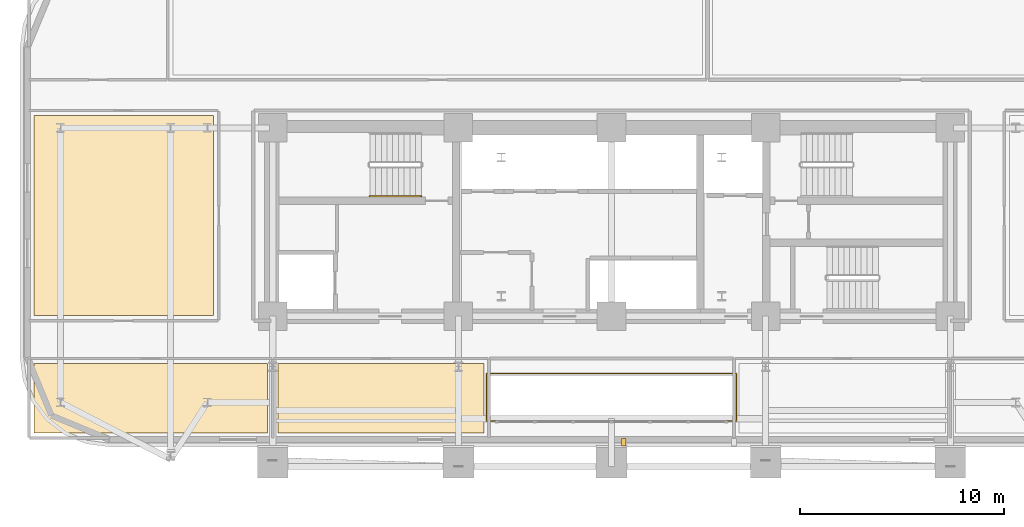
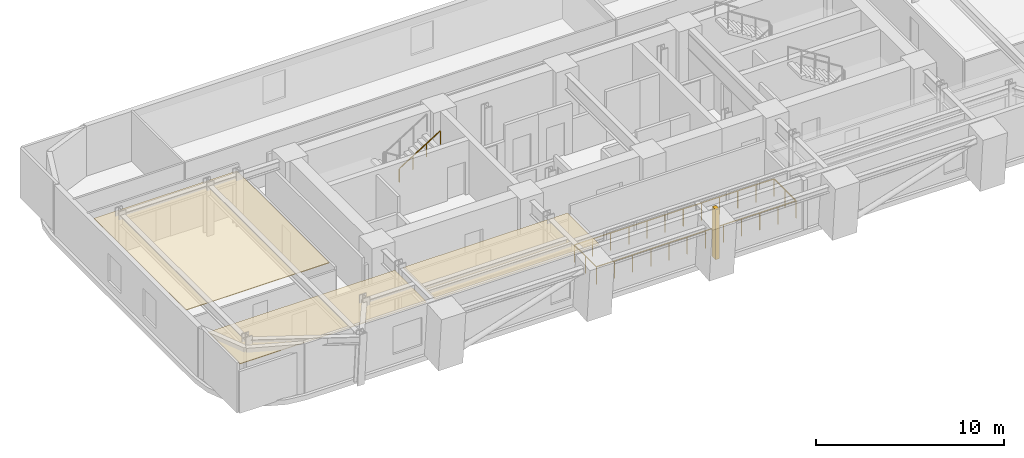
# One storey, part 11 of 14: 4 coverings, 2 railings.
"""IFC4 building model written with IfcOpenShell, lengths in metres."""

from ifc_helpers import new_model, si_unit, direction, frame, origin, origin_2d, place, context, subcontext, project, spatial, polyline, rectangle, outline, extrude, material, layer, layer_set, type_object, element, save


model = new_model("IFC4")

# Units and contexts
model_context = context("Model", 3, precision=1e-05, world=origin(), true_north=direction((0.0, 1.0)))
body_context = subcontext(model_context, "Body", "Model", "MODEL_VIEW")
ifc_project = project(units=[si_unit("LENGTHUNIT", "METRE"), si_unit("AREAUNIT", "SQUARE_METRE"), si_unit("VOLUMEUNIT", "CUBIC_METRE"), si_unit("PLANEANGLEUNIT", "RADIAN"), si_unit("MASSUNIT", "GRAM", prefix="KILO")], contexts=[model_context])

# Site, building, storey
site_placement = place(None, origin())
site = spatial("IfcSite", under=ifc_project, at=site_placement, CompositionType="ELEMENT")
building_placement = place(site_placement, origin())
building = spatial("IfcBuilding", under=site, at=building_placement, Name="Zarnavel Station Tower", CompositionType="ELEMENT")
storey_placement = place(building_placement, frame((0.0, 0.0, 60.5)))
storey = spatial("IfcBuildingStorey", under=building, at=storey_placement, Name="L16", CompositionType="ELEMENT", Elevation=60.5)

# Coverings
ifc_material_1 = material(Name="Perforated Gypsum and Mineral-Wool Acoustic Ceiling", Category="concrete")
ifc_layer = layer(ifc_material_1, 0.0400390625)
ifc_layer_set = layer_set([ifc_layer], Name="COV_CEIL_ACOUSTIC")
covering_type_1 = type_object("IfcCoveringType", Name="COV_CEIL_ACOUSTIC", PredefinedType="CEILING", material=ifc_layer_set)
covering_1_placement = place(storey_placement, frame((0.0, 0.0, 2.919921875)))
element("IfcCovering", 1, at=covering_1_placement, inside=storey, type_object=covering_type_1, Name="L16 FNW4 Acoustic Ceiling", PredefinedType="CEILING", context=body_context, shape_type="SweptSolid", body=[
    extrude(outline(polyline([(0.510009765625, 27.85009765625), (9.300048828125, 27.85009765625), (9.300048828125, 37.64990234375), (0.510009765625, 37.64990234375), (0.510009765625, 27.85009765625)])), origin(), (0.0, 0.0, 1.0), 0.0400390625),
])
covering_2_placement = place(storey_placement, frame((0.0, 0.0, 2.919921875)))
element("IfcCovering", 2, at=covering_2_placement, inside=storey, type_object=covering_type_1, Name="L16 Z1GAL Acoustic Ceiling", PredefinedType="CEILING", context=body_context, shape_type="SweptSolid", body=[
    extrude(outline(polyline([(0.510009765625, 22.110107421875), (11.949951171875, 22.110107421875), (11.949951171875, 25.5), (0.510009765625, 25.5), (0.510009765625, 22.110107421875)])), origin(), (0.0, 0.0, 1.0), 0.0400390625),
])
covering_3_placement = place(storey_placement, frame((0.0, 0.0, 2.919921875)))
element("IfcCovering", 3, at=covering_3_placement, inside=storey, type_object=covering_type_1, Name="L16 Z1LIB Acoustic Ceiling", PredefinedType="CEILING", context=body_context, shape_type="SweptSolid", body=[
    extrude(outline(polyline([(12.449951171875, 22.110107421875), (22.550048828125, 22.110107421875), (22.550048828125, 25.5), (12.449951171875, 25.5), (12.449951171875, 22.110107421875)])), origin(), (0.0, 0.0, 1.0), 0.0400390625),
])
ifc_material_2 = material(Name="Precast concrete C45/55 (Pale Travertine Slab Band)", Category="masonry")
covering_type_2 = type_object("IfcCoveringType", Name="COV_TRAVERTINE_BAND", PredefinedType="CLADDING", material=ifc_material_2)
covering_4_placement = place(storey_placement, frame((29.39990234375, 21.64990234375, 0.0), z_axis=(0.0, 0.0, 1.0), x_axis=(1.0, 0.0, 0.0)))
element("IfcCovering", 4, at=covering_4_placement, inside=storey, type_object=covering_type_2, Name="L16 Travertine Portal Loggia Vertical Jog West", PredefinedType="CLADDING", context=body_context, shape_type="SweptSolid", body=[
    extrude(rectangle(XDim=0.239990234375, YDim=0.360107421875, at=origin_2d()), origin(), (0.0, 0.0, 1.0), 3.239990234375),
])

# Railings
ifc_material_3 = material(Name="Painted Steel S355J2 Balustrade", Category="steel")
railing_type_1 = type_object("IfcRailingType", Name="GR_INT_1150", PredefinedType="GUARDRAIL", material=ifc_material_3)
railing_1_placement = place(storey_placement, frame((22.679931640625, 22.679931640625, 0.0)))
element("IfcRailing", 5, at=railing_1_placement, inside=storey, type_object=railing_type_1, Name="L16 Atrium Void Guardrail", PredefinedType="GUARDRAIL", context=body_context, shape_type="SweptSolid", body=[
    extrude(rectangle(XDim=0.048095703125, YDim=0.048095703125, at=origin_2d()), frame((0.001953125, 0.0, 1.1259765625), z_axis=(1.0, 0.0, 0.0), x_axis=(0.0, 1.0, 0.0)), (0.0, 0.0, 1.0), 12.236083984375),
    extrude(rectangle(XDim=0.048095703125, YDim=0.048095703125, at=origin_2d()), frame((12.239990234375, 0.001953125, 1.1259765625), z_axis=(0.0, 1.0, 0.0), x_axis=(-1.0, 0.0, 0.0)), (0.0, 0.0, 1.0), 2.336181640625),
    extrude(rectangle(XDim=0.048095703125, YDim=0.048095703125, at=origin_2d()), frame((12.238037109375, 2.340087890625, 1.1259765625), z_axis=(-1.0, 0.0, 0.0), x_axis=(0.0, -1.0, 0.0)), (0.0, 0.0, 1.0), 12.236083984375),
    extrude(rectangle(XDim=0.048095703125, YDim=0.048095703125, at=origin_2d()), frame((0.0, 2.338134765625, 1.1259765625), z_axis=(0.0, -1.0, 0.0), x_axis=(1.0, 0.0, 0.0)), (0.0, 0.0, 1.0), 2.336181640625),
    extrude(rectangle(XDim=0.0419921875, YDim=0.0419921875, at=origin_2d()), origin(), (0.0, 0.0, 1.0), 1.101806640625),
    extrude(rectangle(XDim=0.0419921875, YDim=0.0419921875, at=origin_2d()), frame((1.11279296875, 0.0, 0.0)), (0.0, 0.0, 1.0), 1.101806640625),
    extrude(rectangle(XDim=0.0419921875, YDim=0.0419921875, at=origin_2d()), frame((2.225341796875, 0.0, 0.0)), (0.0, 0.0, 1.0), 1.101806640625),
    extrude(rectangle(XDim=0.0419921875, YDim=0.0419921875, at=origin_2d()), frame((3.338134765625, 0.0, 0.0)), (0.0, 0.0, 1.0), 1.101806640625),
    extrude(rectangle(XDim=0.0419921875, YDim=0.0419921875, at=origin_2d()), frame((4.450927734375, 0.0, 0.0)), (0.0, 0.0, 1.0), 1.101806640625),
    extrude(rectangle(XDim=0.0419921875, YDim=0.0419921875, at=origin_2d()), frame((5.563720703125, 0.0, 0.0)), (0.0, 0.0, 1.0), 1.101806640625),
    extrude(rectangle(XDim=0.0419921875, YDim=0.0419921875, at=origin_2d()), frame((6.67626953125, 0.0, 0.0)), (0.0, 0.0, 1.0), 1.101806640625),
    extrude(rectangle(XDim=0.0419921875, YDim=0.0419921875, at=origin_2d()), frame((7.7890625, 0.0, 0.0)), (0.0, 0.0, 1.0), 1.101806640625),
    extrude(rectangle(XDim=0.0419921875, YDim=0.0419921875, at=origin_2d()), frame((8.90185546875, 0.0, 0.0)), (0.0, 0.0, 1.0), 1.101806640625),
    extrude(rectangle(XDim=0.0419921875, YDim=0.0419921875, at=origin_2d()), frame((10.0146484375, 0.0, 0.0)), (0.0, 0.0, 1.0), 1.101806640625),
    extrude(rectangle(XDim=0.0419921875, YDim=0.0419921875, at=origin_2d()), frame((11.127197265625, 0.0, 0.0)), (0.0, 0.0, 1.0), 1.101806640625),
    extrude(rectangle(XDim=0.0419921875, YDim=0.0419921875, at=origin_2d()), frame((12.239990234375, 0.0, 0.0)), (0.0, 0.0, 1.0), 1.101806640625),
    extrude(rectangle(XDim=0.0419921875, YDim=0.0419921875, at=origin_2d()), frame((12.239990234375, 1.169921875, 0.0)), (0.0, 0.0, 1.0), 1.101806640625),
    extrude(rectangle(XDim=0.0419921875, YDim=0.0419921875, at=origin_2d()), frame((12.239990234375, 2.340087890625, 0.0)), (0.0, 0.0, 1.0), 1.101806640625),
    extrude(rectangle(XDim=0.0419921875, YDim=0.0419921875, at=origin_2d()), frame((11.127197265625, 2.340087890625, 0.0)), (0.0, 0.0, 1.0), 1.101806640625),
    extrude(rectangle(XDim=0.0419921875, YDim=0.0419921875, at=origin_2d()), frame((10.0146484375, 2.340087890625, 0.0)), (0.0, 0.0, 1.0), 1.101806640625),
    extrude(rectangle(XDim=0.0419921875, YDim=0.0419921875, at=origin_2d()), frame((8.90185546875, 2.340087890625, 0.0)), (0.0, 0.0, 1.0), 1.101806640625),
    extrude(rectangle(XDim=0.0419921875, YDim=0.0419921875, at=origin_2d()), frame((7.7890625, 2.340087890625, 0.0)), (0.0, 0.0, 1.0), 1.101806640625),
    extrude(rectangle(XDim=0.0419921875, YDim=0.0419921875, at=origin_2d()), frame((6.67626953125, 2.340087890625, 0.0)), (0.0, 0.0, 1.0), 1.101806640625),
    extrude(rectangle(XDim=0.0419921875, YDim=0.0419921875, at=origin_2d()), frame((5.563720703125, 2.340087890625, 0.0)), (0.0, 0.0, 1.0), 1.101806640625),
    extrude(rectangle(XDim=0.0419921875, YDim=0.0419921875, at=origin_2d()), frame((4.450927734375, 2.340087890625, 0.0)), (0.0, 0.0, 1.0), 1.101806640625),
    extrude(rectangle(XDim=0.0419921875, YDim=0.0419921875, at=origin_2d()), frame((3.338134765625, 2.340087890625, 0.0)), (0.0, 0.0, 1.0), 1.101806640625),
    extrude(rectangle(XDim=0.0419921875, YDim=0.0419921875, at=origin_2d()), frame((2.225341796875, 2.340087890625, 0.0)), (0.0, 0.0, 1.0), 1.101806640625),
    extrude(rectangle(XDim=0.0419921875, YDim=0.0419921875, at=origin_2d()), frame((1.11279296875, 2.340087890625, 0.0)), (0.0, 0.0, 1.0), 1.101806640625),
    extrude(rectangle(XDim=0.0419921875, YDim=0.0419921875, at=origin_2d()), frame((0.0, 2.340087890625, 0.0)), (0.0, 0.0, 1.0), 1.101806640625),
    extrude(rectangle(XDim=0.0419921875, YDim=0.0419921875, at=origin_2d()), frame((0.0, 1.169921875, 0.0)), (0.0, 0.0, 1.0), 1.101806640625),
])
ifc_material_4 = material(Name="Brushed Stainless Steel S355J2 Handrail", Category="steel")
railing_type_2 = type_object("IfcRailingType", Name="HR_STAIR_900", PredefinedType="HANDRAIL", material=ifc_material_4)
railing_2_placement = place(storey_placement, frame((16.9599609375, 33.7099609375, 1.925048828125)))
element("IfcRailing", 6, at=railing_2_placement, inside=storey, type_object=railing_type_2, Name="L16 ST1 stair handrail 2", PredefinedType="HANDRAIL", context=body_context, shape_type="SweptSolid", body=[
    extrude(rectangle(XDim=0.048095703125, YDim=0.048095703125, at=origin_2d()), frame((0.001708984375, 0.0, 0.876953125), z_axis=(0.848007534815, 0.0, 0.529984170421), x_axis=(0.0, 1.0, 0.0)), (0.0, 0.0, 1.0), 2.9677734375),
    extrude(rectangle(XDim=0.0419921875, YDim=0.0419921875, at=origin_2d()), origin(), (0.0, 0.0, 1.0), 0.851806640625),
    extrude(rectangle(XDim=0.0419921875, YDim=0.0419921875, at=origin_2d()), frame((0.840087890625, 0.0, 0.52490234375)), (0.0, 0.0, 1.0), 0.851806640625),
    extrude(rectangle(XDim=0.0419921875, YDim=0.0419921875, at=origin_2d()), frame((1.679931640625, 0.0, 1.050048828125)), (0.0, 0.0, 1.0), 0.851806640625),
    extrude(rectangle(XDim=0.0419921875, YDim=0.0419921875, at=origin_2d()), frame((2.52001953125, 0.0, 1.574951171875)), (0.0, 0.0, 1.0), 0.851806640625),
])

save(model, "model.ifc")
